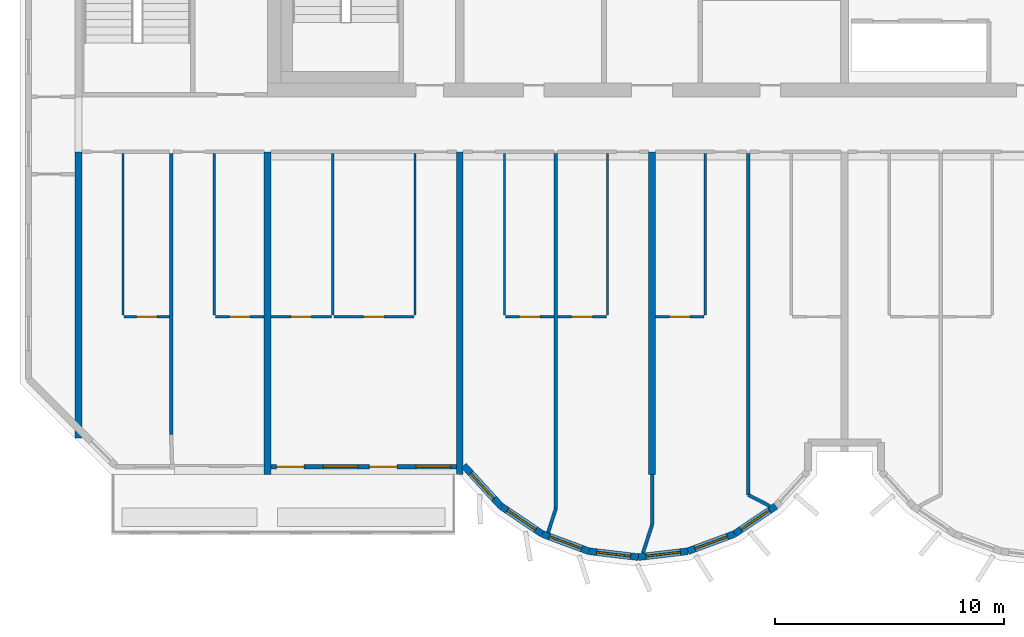
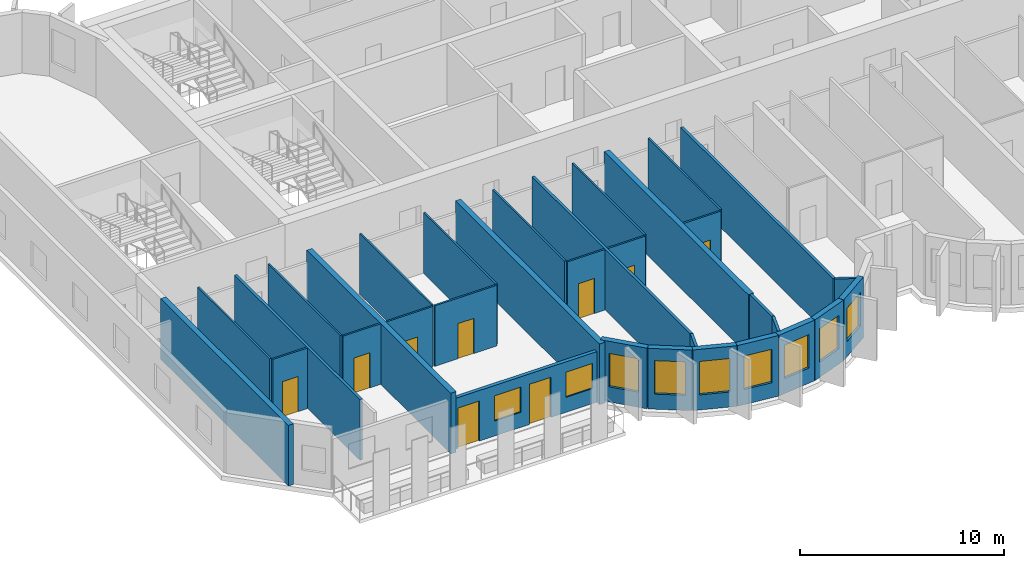
# One storey, part 2 of 11: 33 walls, 9 doors, 9 windows, 18 openings.
"""IFC4 building model written with IfcOpenShell, lengths in metres."""

from ifc_helpers import new_model, si_unit, direction, frame, frame_2d, origin, place, context, subcontext, project, spatial, rectangle, extrude, source, transform, mapped, material, layer, layer_set, type_object, element, fill, save


model = new_model("IFC4")

# Units and contexts
model_context = context("Model", 3, precision=1e-05, world=origin(), true_north=direction((0.0, 1.0)))
body_context = subcontext(model_context, "Body", "Model", "MODEL_VIEW")
ifc_project = project(units=[si_unit("LENGTHUNIT", "METRE"), si_unit("AREAUNIT", "SQUARE_METRE"), si_unit("VOLUMEUNIT", "CUBIC_METRE"), si_unit("PLANEANGLEUNIT", "RADIAN"), si_unit("MASSUNIT", "GRAM", prefix="KILO")], contexts=[model_context])

# Site, building, storey
site_placement = place(None, origin())
site = spatial("IfcSite", under=ifc_project, at=site_placement, CompositionType="ELEMENT")
building_placement = place(site_placement, origin())
building = spatial("IfcBuilding", under=site, at=building_placement, Name="Vanashikhar Sky Hotel", CompositionType="ELEMENT")
storey_placement = place(building_placement, frame((0.0, 0.0, 225.699951171875)))
storey = spatial("IfcBuildingStorey", under=building, at=storey_placement, Name="L54", CompositionType="ELEMENT", Elevation=225.699951171875)

# Walls
ifc_material_1 = material(Name="Concrete M60", Category="concrete")
ifc_layer_1 = layer(ifc_material_1, 0.300048828125)
ifc_layer_set_1 = layer_set([ifc_layer_1], Name="RC shear wall 300 Concrete M60")
wall_type_1 = type_object("IfcWallType", Name="RC shear wall 300 Concrete M60", PredefinedType="SHEAR", material=ifc_layer_set_1)
shared_shape_1 = source(origin(), body_context, "Body", "SweptSolid", [
    extrude(rectangle(XDim=12.5, YDim=0.300048828125, at=frame_2d((6.25, 0.0))), origin(), (0.0, 0.0, 1.0), 3.6201171875),
])
wall_1_placement = place(storey_placement, frame((16.949951171875, 7.10009765625, 0.0), z_axis=(0.0, 0.0, 1.0), x_axis=(0.0, 1.0, 0.0)))
element("IfcWall", 1, at=wall_1_placement, inside=storey, type_object=wall_type_1, Name="CW-L54-XW03-1", PredefinedType="SHEAR", context=body_context, shape_type="MappedRepresentation", body=[
    mapped(shared_shape_1, transform((0.0, 0.0, 0.0), scale=1.0)),
])
shared_shape_2 = source(origin(), body_context, "Body", "SweptSolid", [
    extrude(rectangle(XDim=14.10009765625, YDim=0.300048828125, at=frame_2d((7.050048828125, 0.0))), origin(), (0.0, 0.0, 1.0), 3.6201171875),
])
for number, where, z_axis, x_axis, name in (
    (2, (25.199951171875, 5.5, 0.0), (0.0, 0.0, 1.0), (0.0, 1.0, 0.0), "CW-L54-XW04-1"),
    (3, (33.60009765625, 5.5, 0.0), (0.0, 0.0, 1.0), (0.0, 1.0, 0.0), "CW-L54-XW05-1"),
    (4, (42.0, 5.5, 0.0), (0.0, 0.0, 1.0), (0.0, 1.0, 0.0), "CW-L54-XW06-1"),
):
    element("IfcWall", number, at=place(storey_placement, frame(where, z_axis=z_axis, x_axis=x_axis)), inside=storey, type_object=wall_type_1, Name=name, PredefinedType="SHEAR", context=body_context, shape_type="MappedRepresentation", body=[
        mapped(shared_shape_2, transform((0.0, 0.0, 0.0), scale=1.0)),
    ])

# Wall, openings, windows, doors
ifc_material_2 = material(Name="Concrete M50", Category="concrete")
ifc_layer_2 = layer(ifc_material_2, 0.199951171875)
ifc_layer_set_2 = layer_set([ifc_layer_2], Name="Front window wall 200")
wall_type_2 = type_object("IfcWallType", Name="Front window wall 200", PredefinedType="SOLIDWALL", material=ifc_layer_set_2)
shared_shape_3 = source(origin(), body_context, "Body", "SweptSolid", [
    extrude(rectangle(XDim=8.099853515625, YDim=0.199951171875, at=frame_2d((4.0498046875, 0.0))), origin(), (0.0, 0.0, 1.0), 3.02001953125),
])
wall_2_placement = place(storey_placement, frame((25.35009765625, 5.85009765625, 0.0), z_axis=(0.0, 0.0, 1.0), x_axis=(1.0, 0.0, 0.0)))
wall_2 = element("IfcWall", 5, at=wall_2_placement, inside=storey, type_object=wall_type_2, Name="Front window wall", PredefinedType="SOLIDWALL", context=body_context, shape_type="MappedRepresentation", body=[
    mapped(shared_shape_3, transform((0.0, 0.0, 0.0), scale=1.0)),
])
shared_shape_4 = source(origin(), body_context, "Body", "SweptSolid", [
    extrude(rectangle(XDim=1.199951171875, YDim=2.39990234375, at=frame_2d((0.60009765625, 1.199951171875))), frame((0.0, 0.10986328125, 0.0), z_axis=(0.0, -1.0, 0.0), x_axis=(1.0, 0.0, 0.0)), (0.0, 0.0, 1.0), 0.219970703125),
])
opening_1_placement = place(wall_2_placement, frame((0.25, 0.0, 0.0)))
opening_1 = element("IfcOpeningElement", 6, at=opening_1_placement, cuts=wall_2, Name="Opening BD-01", PredefinedType="OPENING", context=body_context, shape_type="MappedRepresentation", body=[
    mapped(shared_shape_4, transform((0.0, 0.0, 0.0), scale=1.0)),
])
shared_shape_5 = source(origin(), body_context, "Body", "SweptSolid", [
    extrude(rectangle(XDim=1.5, YDim=1.5, at=frame_2d((0.75, 0.75))), frame((0.0, 0.10986328125, 0.0), z_axis=(0.0, -1.0, 0.0), x_axis=(1.0, 0.0, 0.0)), (0.0, 0.0, 1.0), 0.219970703125),
])
opening_2_placement = place(wall_2_placement, frame((2.300048828125, 0.0, 0.89990234375)))
opening_2 = element("IfcOpeningElement", 7, at=opening_2_placement, cuts=wall_2, Name="Opening WN-1", PredefinedType="OPENING", context=body_context, shape_type="MappedRepresentation", body=[
    mapped(shared_shape_5, transform((0.0, 0.0, 0.0), scale=1.0)),
])
opening_3_placement = place(wall_2_placement, frame((4.300048828125, 0.0, 0.0)))
opening_3 = element("IfcOpeningElement", 8, at=opening_3_placement, cuts=wall_2, Name="Opening BD-02", PredefinedType="OPENING", context=body_context, shape_type="MappedRepresentation", body=[
    mapped(shared_shape_4, transform((0.0, 0.0, 0.0), scale=1.0)),
])
opening_4_placement = place(wall_2_placement, frame((6.35009765625, 0.0, 0.89990234375)))
opening_4 = element("IfcOpeningElement", 9, at=opening_4_placement, cuts=wall_2, Name="Opening WN-1", PredefinedType="OPENING", context=body_context, shape_type="MappedRepresentation", body=[
    mapped(shared_shape_5, transform((0.0, 0.0, 0.0), scale=1.0)),
])
ifc_material_3 = material(Name="Glass", Category="glass")
window_type_1 = type_object("IfcWindowType", Name="Window 1500 x 1500", PartitioningType="SINGLE_PANEL", PredefinedType="WINDOW", material=ifc_material_3)
shared_shape_6 = source(origin(), body_context, "Body", "SweptSolid", [
    extrude(rectangle(XDim=1.5, YDim=1.5, at=frame_2d((0.75, 0.75))), frame((0.0, 0.030029296875, 0.0), z_axis=(0.0, -1.0, 0.0), x_axis=(1.0, 0.0, 0.0)), (0.0, 0.0, 1.0), 0.06005859375),
])
window_1_placement = place(opening_2_placement, origin())
window_1 = element("IfcWindow", 10, at=window_1_placement, inside=storey, type_object=window_type_1, Name="Window WN-1", OverallHeight=1.5, OverallWidth=1.5, PartitioningType="SINGLE_PANEL", PredefinedType="WINDOW", context=body_context, shape_type="MappedRepresentation", body=[
    mapped(shared_shape_6, transform((0.0, 0.0, 0.0), scale=1.0)),
])
fill(opening_2, window_1)
window_2_placement = place(opening_4_placement, origin())
window_2 = element("IfcWindow", 11, at=window_2_placement, inside=storey, type_object=window_type_1, Name="Window WN-1", OverallHeight=1.5, OverallWidth=1.5, PartitioningType="SINGLE_PANEL", PredefinedType="WINDOW", context=body_context, shape_type="MappedRepresentation", body=[
    mapped(shared_shape_6, transform((0.0, 0.0, 0.0), scale=1.0)),
])
fill(opening_4, window_2)
ifc_material_4 = material(Name="Aluminium", Category="aluminium")
door_type_1 = type_object("IfcDoorType", Name="Balcony sliding door 1200 x 2400", OperationType="NOTDEFINED", PredefinedType="DOOR", material=ifc_material_4)
shared_shape_7 = source(origin(), body_context, "Body", "SweptSolid", [
    extrude(rectangle(XDim=1.199951171875, YDim=2.39990234375, at=frame_2d((0.60009765625, 1.199951171875))), frame((0.0, 0.02490234375, 0.0), z_axis=(0.0, -1.0, 0.0), x_axis=(1.0, 0.0, 0.0)), (0.0, 0.0, 1.0), 0.050048828125),
])
door_1_placement = place(opening_1_placement, origin())
door_1 = element("IfcDoor", 12, at=door_1_placement, inside=storey, type_object=door_type_1, Name="Balcony sliding door", OperationType="SLIDING_TO_LEFT", OverallHeight=2.39990234375, OverallWidth=1.199951171875, PredefinedType="DOOR", context=body_context, shape_type="MappedRepresentation", body=[
    mapped(shared_shape_7, transform((0.0, 0.0, 0.0), scale=1.0)),
])
fill(opening_1, door_1)
door_2_placement = place(opening_3_placement, origin())
door_2 = element("IfcDoor", 13, at=door_2_placement, inside=storey, type_object=door_type_1, Name="Balcony sliding door", OperationType="SLIDING_TO_RIGHT", OverallHeight=2.39990234375, OverallWidth=1.199951171875, PredefinedType="DOOR", context=body_context, shape_type="MappedRepresentation", body=[
    mapped(shared_shape_7, transform((0.0, 0.0, 0.0), scale=1.0)),
])
fill(opening_3, door_2)

# Wall, opening, window
ifc_layer_3 = layer(ifc_material_2, 0.300048828125)
ifc_layer_set_3 = layer_set([ifc_layer_3], Name="Lobe wall 300")
wall_type_3 = type_object("IfcWallType", Name="Lobe wall 300", PredefinedType="SOLIDWALL", material=ifc_layer_set_3)
shared_shape_8 = source(origin(), body_context, "Body", "SweptSolid", [
    extrude(rectangle(XDim=2.398193359375, YDim=0.300048828125, at=frame_2d((1.19921875, 0.0))), origin(), (0.0, 0.0, 1.0), 3.6201171875),
])
wall_3_placement = place(storey_placement, frame((33.776123046875, 5.89990234375, 0.0), z_axis=(0.0, 0.0, 1.0), x_axis=(0.675374189419, -0.737475222815, 0.0)))
wall_3 = element("IfcWall", 14, at=wall_3_placement, inside=storey, type_object=wall_type_3, Name="Lobe wall", PredefinedType="SOLIDWALL", context=body_context, shape_type="MappedRepresentation", body=[
    mapped(shared_shape_8, transform((0.0, 0.0, 0.0), scale=1.0)),
])
shared_shape_9 = source(origin(), body_context, "Body", "SweptSolid", [
    extrude(rectangle(XDim=1.5, YDim=2.0, at=frame_2d((0.75, 1.0))), frame((0.0, 0.16015625, 0.0), z_axis=(0.0, -1.0, 0.0), x_axis=(1.0, 0.0, 0.0)), (0.0, 0.0, 1.0), 0.320068359375),
])
opening_5_placement = place(wall_3_placement, frame((0.44921875, 0.0, 0.89990234375)))
opening_5 = element("IfcOpeningElement", 15, at=opening_5_placement, cuts=wall_3, Name="Opening WN-2", PredefinedType="OPENING", context=body_context, shape_type="MappedRepresentation", body=[
    mapped(shared_shape_9, transform((0.0, 0.0, 0.0), scale=1.0)),
])
window_type_2 = type_object("IfcWindowType", Name="Lobe window 1500 x 2000", PartitioningType="SINGLE_PANEL", PredefinedType="WINDOW", material=ifc_material_3)
shared_shape_10 = source(origin(), body_context, "Body", "SweptSolid", [
    extrude(rectangle(XDim=1.5, YDim=2.0, at=frame_2d((0.75, 1.0))), frame((0.0, 0.030029296875, 0.0), z_axis=(0.0, -1.0, 0.0), x_axis=(1.0, 0.0, 0.0)), (0.0, 0.0, 1.0), 0.06005859375),
])
window_3_placement = place(opening_5_placement, origin())
window_3 = element("IfcWindow", 16, at=window_3_placement, inside=storey, type_object=window_type_2, Name="Window WN-2", OverallHeight=2.0, OverallWidth=1.5, PartitioningType="SINGLE_PANEL", PredefinedType="WINDOW", context=body_context, shape_type="MappedRepresentation", body=[
    mapped(shared_shape_10, transform((0.0, 0.0, 0.0), scale=1.0)),
])
fill(opening_5, window_3)

shared_shape_11 = source(origin(), body_context, "Body", "SweptSolid", [
    extrude(rectangle(XDim=2.17578125, YDim=0.300048828125, at=frame_2d((1.087890625, 0.0))), origin(), (0.0, 0.0, 1.0), 3.6201171875),
])
wall_4_placement = place(storey_placement, frame((35.395751953125, 4.13134765625, 0.0), z_axis=(0.0, 0.0, 1.0), x_axis=(0.829590746428, -0.558371913192, 0.0)))
wall_4 = element("IfcWall", 17, at=wall_4_placement, inside=storey, type_object=wall_type_3, Name="Lobe wall", PredefinedType="SOLIDWALL", context=body_context, shape_type="MappedRepresentation", body=[
    mapped(shared_shape_11, transform((0.0, 0.0, 0.0), scale=1.0)),
])
opening_6_placement = place(wall_4_placement, frame((0.337890625, 0.0, 0.89990234375)))
opening_6 = element("IfcOpeningElement", 18, at=opening_6_placement, cuts=wall_4, Name="Opening WN-2", PredefinedType="OPENING", context=body_context, shape_type="MappedRepresentation", body=[
    mapped(shared_shape_9, transform((0.0, 0.0, 0.0), scale=1.0)),
])
window_4_placement = place(opening_6_placement, origin())
window_4 = element("IfcWindow", 19, at=window_4_placement, inside=storey, type_object=window_type_2, Name="Window WN-2", OverallHeight=2.0, OverallWidth=1.5, PartitioningType="SINGLE_PANEL", PredefinedType="WINDOW", context=body_context, shape_type="MappedRepresentation", body=[
    mapped(shared_shape_10, transform((0.0, 0.0, 0.0), scale=1.0)),
])
fill(opening_6, window_4)

wall_5_placement = place(storey_placement, frame((37.20068359375, 2.91650390625, 0.0), z_axis=(0.0, 0.0, 1.0), x_axis=(0.93754555999, -0.347862505801, 0.0)))
wall_5 = element("IfcWall", 20, at=wall_5_placement, inside=storey, type_object=wall_type_3, Name="Lobe wall", PredefinedType="SOLIDWALL", context=body_context, shape_type="MappedRepresentation", body=[
    mapped(shared_shape_11, transform((0.0, 0.0, 0.0), scale=1.0)),
])
opening_7_placement = place(wall_5_placement, frame((0.337890625, 0.0, 0.89990234375)))
opening_7 = element("IfcOpeningElement", 21, at=opening_7_placement, cuts=wall_5, Name="Opening WN-2", PredefinedType="OPENING", context=body_context, shape_type="MappedRepresentation", body=[
    mapped(shared_shape_9, transform((0.0, 0.0, 0.0), scale=1.0)),
])
window_5_placement = place(opening_7_placement, origin())
window_5 = element("IfcWindow", 22, at=window_5_placement, inside=storey, type_object=window_type_2, Name="Window WN-2", OverallHeight=2.0, OverallWidth=1.5, PartitioningType="SINGLE_PANEL", PredefinedType="WINDOW", context=body_context, shape_type="MappedRepresentation", body=[
    mapped(shared_shape_10, transform((0.0, 0.0, 0.0), scale=1.0)),
])
fill(opening_7, window_5)

wall_6_placement = place(storey_placement, frame((45.59912109375, 2.91650390625, 0.0), z_axis=(0.0, 0.0, 1.0), x_axis=(0.829625727223, 0.558319937607, 0.0)))
wall_6 = element("IfcWall", 23, at=wall_6_placement, inside=storey, type_object=wall_type_3, Name="Lobe wall", PredefinedType="SOLIDWALL", context=body_context, shape_type="MappedRepresentation", body=[
    mapped(shared_shape_11, transform((0.0, 0.0, 0.0), scale=1.0)),
])
opening_8_placement = place(wall_6_placement, frame((0.337890625, 0.0, 0.89990234375)))
opening_8 = element("IfcOpeningElement", 24, at=opening_8_placement, cuts=wall_6, Name="Opening WN-2", PredefinedType="OPENING", context=body_context, shape_type="MappedRepresentation", body=[
    mapped(shared_shape_9, transform((0.0, 0.0, 0.0), scale=1.0)),
])
window_6_placement = place(opening_8_placement, origin())
window_6 = element("IfcWindow", 25, at=window_6_placement, inside=storey, type_object=window_type_2, Name="Window WN-2", OverallHeight=2.0, OverallWidth=1.5, PartitioningType="SINGLE_PANEL", PredefinedType="WINDOW", context=body_context, shape_type="MappedRepresentation", body=[
    mapped(shared_shape_10, transform((0.0, 0.0, 0.0), scale=1.0)),
])
fill(opening_8, window_6)

shared_shape_12 = source(origin(), body_context, "Body", "SweptSolid", [
    extrude(rectangle(XDim=2.174560546875, YDim=0.300048828125, at=frame_2d((1.08740234375, 0.0))), origin(), (0.0, 0.0, 1.0), 3.6201171875),
])
wall_7_placement = place(storey_placement, frame((39.240478515625, 2.15966796875, 0.0), z_axis=(0.0, 0.0, 1.0), x_axis=(0.993001132889, -0.118104826659, 0.0)))
wall_7 = element("IfcWall", 26, at=wall_7_placement, inside=storey, type_object=wall_type_3, Name="Lobe wall", PredefinedType="SOLIDWALL", context=body_context, shape_type="MappedRepresentation", body=[
    mapped(shared_shape_12, transform((0.0, 0.0, 0.0), scale=1.0)),
])
opening_9_placement = place(wall_7_placement, frame((0.33740234375, 0.0, 0.89990234375)))
opening_9 = element("IfcOpeningElement", 27, at=opening_9_placement, cuts=wall_7, Name="Opening WN-2", PredefinedType="OPENING", context=body_context, shape_type="MappedRepresentation", body=[
    mapped(shared_shape_9, transform((0.0, 0.0, 0.0), scale=1.0)),
])
window_7_placement = place(opening_9_placement, origin())
window_7 = element("IfcWindow", 28, at=window_7_placement, inside=storey, type_object=window_type_2, Name="Window WN-2", OverallHeight=2.0, OverallWidth=1.5, PartitioningType="SINGLE_PANEL", PredefinedType="WINDOW", context=body_context, shape_type="MappedRepresentation", body=[
    mapped(shared_shape_10, transform((0.0, 0.0, 0.0), scale=1.0)),
])
fill(opening_9, window_7)

shared_shape_13 = source(origin(), body_context, "Body", "SweptSolid", [
    extrude(rectangle(XDim=2.1748046875, YDim=0.300048828125, at=frame_2d((1.08740234375, 0.0))), origin(), (0.0, 0.0, 1.0), 3.6201171875),
])
wall_8_placement = place(storey_placement, frame((41.39990234375, 1.90283203125, 0.0), z_axis=(0.0, 0.0, 1.0), x_axis=(0.993002698611, 0.118091661648, 0.0)))
wall_8 = element("IfcWall", 29, at=wall_8_placement, inside=storey, type_object=wall_type_3, Name="Lobe wall", PredefinedType="SOLIDWALL", context=body_context, shape_type="MappedRepresentation", body=[
    mapped(shared_shape_13, transform((0.0, 0.0, 0.0), scale=1.0)),
])
opening_10_placement = place(wall_8_placement, frame((0.33740234375, 0.0, 0.89990234375)))
opening_10 = element("IfcOpeningElement", 30, at=opening_10_placement, cuts=wall_8, Name="Opening WN-2", PredefinedType="OPENING", context=body_context, shape_type="MappedRepresentation", body=[
    mapped(shared_shape_9, transform((0.0, 0.0, 0.0), scale=1.0)),
])
window_8_placement = place(opening_10_placement, origin())
window_8 = element("IfcWindow", 31, at=window_8_placement, inside=storey, type_object=window_type_2, Name="Window WN-2", OverallHeight=2.0, OverallWidth=1.5, PartitioningType="SINGLE_PANEL", PredefinedType="WINDOW", context=body_context, shape_type="MappedRepresentation", body=[
    mapped(shared_shape_10, transform((0.0, 0.0, 0.0), scale=1.0)),
])
fill(opening_10, window_8)

shared_shape_14 = source(origin(), body_context, "Body", "SweptSolid", [
    extrude(rectangle(XDim=2.175537109375, YDim=0.300048828125, at=frame_2d((1.087890625, 0.0))), origin(), (0.0, 0.0, 1.0), 3.6201171875),
])
wall_9_placement = place(storey_placement, frame((43.5595703125, 2.15966796875, 0.0), z_axis=(0.0, 0.0, 1.0), x_axis=(0.937531979054, 0.347899106424, 0.0)))
wall_9 = element("IfcWall", 32, at=wall_9_placement, inside=storey, type_object=wall_type_3, Name="Lobe wall", PredefinedType="SOLIDWALL", context=body_context, shape_type="MappedRepresentation", body=[
    mapped(shared_shape_14, transform((0.0, 0.0, 0.0), scale=1.0)),
])
opening_11_placement = place(wall_9_placement, frame((0.337890625, 0.0, 0.89990234375)))
opening_11 = element("IfcOpeningElement", 33, at=opening_11_placement, cuts=wall_9, Name="Opening WN-2", PredefinedType="OPENING", context=body_context, shape_type="MappedRepresentation", body=[
    mapped(shared_shape_9, transform((0.0, 0.0, 0.0), scale=1.0)),
])
window_9_placement = place(opening_11_placement, origin())
window_9 = element("IfcWindow", 34, at=window_9_placement, inside=storey, type_object=window_type_2, Name="Window WN-2", OverallHeight=2.0, OverallWidth=1.5, PartitioningType="SINGLE_PANEL", PredefinedType="WINDOW", context=body_context, shape_type="MappedRepresentation", body=[
    mapped(shared_shape_10, transform((0.0, 0.0, 0.0), scale=1.0)),
])
fill(opening_11, window_9)

# Walls
ifc_material_5 = material(Name="Gypsum plasterboard partition")
ifc_layer_4 = layer(ifc_material_5, 0.10009765625)
ifc_layer_set_4 = layer_set([ifc_layer_4], Name="Wet room partition 100")
wall_type_4 = type_object("IfcWallType", Name="Wet room partition 100", PredefinedType="PARTITIONING", material=ifc_layer_set_4)
shared_shape_15 = source(origin(), body_context, "Body", "SweptSolid", [
    extrude(rectangle(XDim=7.0498046875, YDim=0.10009765625, at=frame_2d((3.52490234375, 0.0))), origin(), (0.0, 0.0, 1.0), 3.6201171875),
])
for number, where, z_axis, x_axis, name in (
    (35, (18.89990234375, 12.47509765625, 0.0), (0.0, 0.0, 1.0), (0.0, 1.0, 0.0), "W-L54-PW001"),
    (36, (22.875, 12.47509765625, 0.0), (0.0, 0.0, 1.0), (0.0, 1.0, 0.0), "W-L54-PW004"),
    (37, (31.64990234375, 12.47509765625, 0.0), (0.0, 0.0, 1.0), (0.0, 1.0, 0.0), "W-L54-PW008"),
    (38, (28.050048828125, 12.47509765625, 0.0), (0.0, 0.0, 1.0), (0.0, 1.0, 0.0), "W-L54-PW009"),
    (39, (35.550048828125, 12.47509765625, 0.0), (0.0, 0.0, 1.0), (0.0, 1.0, 0.0), "W-L54-PW013"),
    (40, (40.050048828125, 12.47509765625, 0.0), (0.0, 0.0, 1.0), (0.0, 1.0, 0.0), "W-L54-PW016"),
    (41, (44.324951171875, 12.47509765625, 0.0), (0.0, 0.0, 1.0), (0.0, 1.0, 0.0), "W-L54-PW020"),
):
    element("IfcWall", number, at=place(storey_placement, frame(where, z_axis=z_axis, x_axis=x_axis)), inside=storey, type_object=wall_type_4, Name=name, PredefinedType="PARTITIONING", context=body_context, shape_type="MappedRepresentation", body=[
        mapped(shared_shape_15, transform((0.0, 0.0, 0.0), scale=1.0)),
    ])

# Wall, opening, door
shared_shape_16 = source(origin(), body_context, "Body", "SweptSolid", [
    extrude(rectangle(XDim=1.97509765625, YDim=0.10009765625, at=frame_2d((0.987548828125, 0.0))), origin(), (0.0, 0.0, 1.0), 3.6201171875),
])
wall_10_placement = place(storey_placement, frame((18.949951171875, 12.39990234375, 0.0), z_axis=(0.0, 0.0, 1.0), x_axis=(1.0, 0.0, 0.0)))
wall_10 = element("IfcWall", 42, at=wall_10_placement, inside=storey, type_object=wall_type_4, Name="W-L54-PW002", PredefinedType="PARTITIONING", context=body_context, shape_type="MappedRepresentation", body=[
    mapped(shared_shape_16, transform((0.0, 0.0, 0.0), scale=1.0)),
])
shared_shape_17 = source(origin(), body_context, "Body", "SweptSolid", [
    extrude(rectangle(XDim=0.89990234375, YDim=2.10009765625, at=frame_2d((0.449951171875, 1.050048828125))), frame((0.0, 0.06005859375, 0.0), z_axis=(0.0, -1.0, 0.0), x_axis=(1.0, 0.0, 0.0)), (0.0, 0.0, 1.0), 0.1201171875),
])
opening_12_placement = place(wall_10_placement, frame((0.5380859375, 0.0, 0.0)))
opening_12 = element("IfcOpeningElement", 43, at=opening_12_placement, cuts=wall_10, Name="Opening D-02", PredefinedType="OPENING", context=body_context, shape_type="MappedRepresentation", body=[
    mapped(shared_shape_17, transform((0.0, 0.0, 0.0), scale=1.0)),
])
ifc_material_6 = material(Name="Timber door", Category="wood")
door_type_2 = type_object("IfcDoorType", Name="Internal door 900", OperationType="NOTDEFINED", PredefinedType="DOOR", material=ifc_material_6)
shared_shape_18 = source(origin(), body_context, "Body", "SweptSolid", [
    extrude(rectangle(XDim=0.89990234375, YDim=2.10009765625, at=frame_2d((0.449951171875, 1.050048828125))), frame((0.0, 0.02490234375, 0.0), z_axis=(0.0, -1.0, 0.0), x_axis=(1.0, 0.0, 0.0)), (0.0, 0.0, 1.0), 0.050048828125),
])
door_3_placement = place(opening_12_placement, origin())
door_3 = element("IfcDoor", 44, at=door_3_placement, inside=storey, type_object=door_type_2, Name="D-L54-001", OperationType="SINGLE_SWING_LEFT", OverallHeight=2.10009765625, OverallWidth=0.89990234375, PredefinedType="DOOR", context=body_context, shape_type="MappedRepresentation", body=[
    mapped(shared_shape_18, transform((0.0, 0.0, 0.0), scale=1.0)),
])
fill(opening_12, door_3)

shared_shape_19 = source(origin(), body_context, "Body", "SweptSolid", [
    extrude(rectangle(XDim=2.125, YDim=0.10009765625, at=frame_2d((1.0625, 0.0))), origin(), (0.0, 0.0, 1.0), 3.6201171875),
])
wall_11_placement = place(storey_placement, frame((22.925048828125, 12.39990234375, 0.0), z_axis=(0.0, 0.0, 1.0), x_axis=(1.0, 0.0, 0.0)))
wall_11 = element("IfcWall", 45, at=wall_11_placement, inside=storey, type_object=wall_type_4, Name="W-L54-PW005", PredefinedType="PARTITIONING", context=body_context, shape_type="MappedRepresentation", body=[
    mapped(shared_shape_19, transform((0.0, 0.0, 0.0), scale=1.0)),
])
opening_13_placement = place(wall_11_placement, frame((0.613037109375, 0.0, 0.0)))
opening_13 = element("IfcOpeningElement", 46, at=opening_13_placement, cuts=wall_11, Name="Opening D-02", PredefinedType="OPENING", context=body_context, shape_type="MappedRepresentation", body=[
    mapped(shared_shape_17, transform((0.0, 0.0, 0.0), scale=1.0)),
])
door_4_placement = place(opening_13_placement, origin())
door_4 = element("IfcDoor", 47, at=door_4_placement, inside=storey, type_object=door_type_2, Name="D-L54-003", OperationType="SINGLE_SWING_LEFT", OverallHeight=2.10009765625, OverallWidth=0.89990234375, PredefinedType="DOOR", context=body_context, shape_type="MappedRepresentation", body=[
    mapped(shared_shape_18, transform((0.0, 0.0, 0.0), scale=1.0)),
])
fill(opening_13, door_4)

wall_12_placement = place(storey_placement, frame((35.60009765625, 12.39990234375, 0.0), z_axis=(0.0, 0.0, 1.0), x_axis=(1.0, 0.0, 0.0)))
wall_12 = element("IfcWall", 48, at=wall_12_placement, inside=storey, type_object=wall_type_4, Name="W-L54-PW014", PredefinedType="PARTITIONING", context=body_context, shape_type="MappedRepresentation", body=[
    mapped(shared_shape_19, transform((0.0, 0.0, 0.0), scale=1.0)),
])
opening_14_placement = place(wall_12_placement, frame((0.612060546875, 0.0, 0.0)))
opening_14 = element("IfcOpeningElement", 49, at=opening_14_placement, cuts=wall_12, Name="Opening D-02", PredefinedType="OPENING", context=body_context, shape_type="MappedRepresentation", body=[
    mapped(shared_shape_17, transform((0.0, 0.0, 0.0), scale=1.0)),
])
door_5_placement = place(opening_14_placement, origin())
door_5 = element("IfcDoor", 50, at=door_5_placement, inside=storey, type_object=door_type_2, Name="D-L54-008", OperationType="SINGLE_SWING_LEFT", OverallHeight=2.10009765625, OverallWidth=0.89990234375, PredefinedType="DOOR", context=body_context, shape_type="MappedRepresentation", body=[
    mapped(shared_shape_18, transform((0.0, 0.0, 0.0), scale=1.0)),
])
fill(opening_14, door_5)

wall_13_placement = place(storey_placement, frame((37.875, 12.39990234375, 0.0), z_axis=(0.0, 0.0, 1.0), x_axis=(1.0, 0.0, 0.0)))
wall_13 = element("IfcWall", 51, at=wall_13_placement, inside=storey, type_object=wall_type_4, Name="W-L54-PW017", PredefinedType="PARTITIONING", context=body_context, shape_type="MappedRepresentation", body=[
    mapped(shared_shape_19, transform((0.0, 0.0, 0.0), scale=1.0)),
])
opening_15_placement = place(wall_13_placement, frame((0.612060546875, 0.0, 0.0)))
opening_15 = element("IfcOpeningElement", 52, at=opening_15_placement, cuts=wall_13, Name="Opening D-02", PredefinedType="OPENING", context=body_context, shape_type="MappedRepresentation", body=[
    mapped(shared_shape_17, transform((0.0, 0.0, 0.0), scale=1.0)),
])
door_6_placement = place(opening_15_placement, origin())
door_6 = element("IfcDoor", 53, at=door_6_placement, inside=storey, type_object=door_type_2, Name="D-L54-010", OperationType="SINGLE_SWING_RIGHT", OverallHeight=2.10009765625, OverallWidth=0.89990234375, PredefinedType="DOOR", context=body_context, shape_type="MappedRepresentation", body=[
    mapped(shared_shape_18, transform((0.0, 0.0, 0.0), scale=1.0)),
])
fill(opening_15, door_6)

wall_14_placement = place(storey_placement, frame((42.14990234375, 12.39990234375, 0.0), z_axis=(0.0, 0.0, 1.0), x_axis=(1.0, 0.0, 0.0)))
wall_14 = element("IfcWall", 54, at=wall_14_placement, inside=storey, type_object=wall_type_4, Name="W-L54-PW021", PredefinedType="PARTITIONING", context=body_context, shape_type="MappedRepresentation", body=[
    mapped(shared_shape_19, transform((0.0, 0.0, 0.0), scale=1.0)),
])
opening_16_placement = place(wall_14_placement, frame((0.613037109375, 0.0, 0.0)))
opening_16 = element("IfcOpeningElement", 55, at=opening_16_placement, cuts=wall_14, Name="Opening D-02", PredefinedType="OPENING", context=body_context, shape_type="MappedRepresentation", body=[
    mapped(shared_shape_17, transform((0.0, 0.0, 0.0), scale=1.0)),
])
door_7_placement = place(opening_16_placement, origin())
door_7 = element("IfcDoor", 56, at=door_7_placement, inside=storey, type_object=door_type_2, Name="D-L54-012", OperationType="SINGLE_SWING_RIGHT", OverallHeight=2.10009765625, OverallWidth=0.89990234375, PredefinedType="DOOR", context=body_context, shape_type="MappedRepresentation", body=[
    mapped(shared_shape_18, transform((0.0, 0.0, 0.0), scale=1.0)),
])
fill(opening_16, door_7)

# Wall
ifc_layer_5 = layer(ifc_material_5, 0.14990234375)
ifc_layer_set_5 = layer_set([ifc_layer_5], Name="Corridor and demising partition 150")
wall_type_5 = type_object("IfcWallType", Name="Corridor and demising partition 150", PredefinedType="PARTITIONING", material=ifc_layer_set_5)
shared_shape_20 = source(origin(), body_context, "Body", "SweptSolid", [
    extrude(rectangle(XDim=12.27490234375, YDim=0.14990234375, at=frame_2d((6.137451171875, 0.0))), origin(), (0.0, 0.0, 1.0), 3.6201171875),
])
wall_15_placement = place(storey_placement, frame((21.0, 7.25, 0.0), z_axis=(0.0, 0.0, 1.0), x_axis=(0.0, 1.0, 0.0)))
element("IfcWall", 57, at=wall_15_placement, inside=storey, type_object=wall_type_5, Name="W-L54-PW007", PredefinedType="PARTITIONING", context=body_context, shape_type="MappedRepresentation", body=[
    mapped(shared_shape_20, transform((0.0, 0.0, 0.0), scale=1.0)),
])

# Wall, opening, door
shared_shape_21 = source(origin(), body_context, "Body", "SweptSolid", [
    extrude(rectangle(XDim=3.5, YDim=0.10009765625, at=frame_2d((1.75, 0.0))), origin(), (0.0, 0.0, 1.0), 3.6201171875),
])
wall_16_placement = place(storey_placement, frame((28.10009765625, 12.39990234375, 0.0), z_axis=(0.0, 0.0, 1.0), x_axis=(1.0, 0.0, 0.0)))
wall_16 = element("IfcWall", 58, at=wall_16_placement, inside=storey, type_object=wall_type_4, Name="W-L54-PW010", PredefinedType="PARTITIONING", context=body_context, shape_type="MappedRepresentation", body=[
    mapped(shared_shape_21, transform((0.0, 0.0, 0.0), scale=1.0)),
])
opening_17_placement = place(wall_16_placement, frame((1.300048828125, 0.0, 0.0)))
opening_17 = element("IfcOpeningElement", 59, at=opening_17_placement, cuts=wall_16, Name="Opening D-02", PredefinedType="OPENING", context=body_context, shape_type="MappedRepresentation", body=[
    mapped(shared_shape_17, transform((0.0, 0.0, 0.0), scale=1.0)),
])
door_8_placement = place(opening_17_placement, origin())
door_8 = element("IfcDoor", 60, at=door_8_placement, inside=storey, type_object=door_type_2, Name="D-L54-005", OperationType="SINGLE_SWING_RIGHT", OverallHeight=2.10009765625, OverallWidth=0.89990234375, PredefinedType="DOOR", context=body_context, shape_type="MappedRepresentation", body=[
    mapped(shared_shape_18, transform((0.0, 0.0, 0.0), scale=1.0)),
])
fill(opening_17, door_8)

shared_shape_22 = source(origin(), body_context, "Body", "SweptSolid", [
    extrude(rectangle(XDim=2.64990234375, YDim=0.10009765625, at=frame_2d((1.324951171875, 0.0))), origin(), (0.0, 0.0, 1.0), 3.6201171875),
])
wall_17_placement = place(storey_placement, frame((25.35009765625, 12.39990234375, 0.0), z_axis=(0.0, 0.0, 1.0), x_axis=(1.0, 0.0, 0.0)))
wall_17 = element("IfcWall", 61, at=wall_17_placement, inside=storey, type_object=wall_type_4, Name="W-L54-PW011", PredefinedType="PARTITIONING", context=body_context, shape_type="MappedRepresentation", body=[
    mapped(shared_shape_22, transform((0.0, 0.0, 0.0), scale=1.0)),
])
opening_18_placement = place(wall_17_placement, frame((0.875, 0.0, 0.0)))
opening_18 = element("IfcOpeningElement", 62, at=opening_18_placement, cuts=wall_17, Name="Opening D-02", PredefinedType="OPENING", context=body_context, shape_type="MappedRepresentation", body=[
    mapped(shared_shape_17, transform((0.0, 0.0, 0.0), scale=1.0)),
])
door_9_placement = place(opening_18_placement, origin())
door_9 = element("IfcDoor", 63, at=door_9_placement, inside=storey, type_object=door_type_2, Name="D-L54-006", OperationType="SINGLE_SWING_RIGHT", OverallHeight=2.10009765625, OverallWidth=0.89990234375, PredefinedType="DOOR", context=body_context, shape_type="MappedRepresentation", body=[
    mapped(shared_shape_18, transform((0.0, 0.0, 0.0), scale=1.0)),
])
fill(opening_18, door_9)

# Walls
shared_shape_23 = source(origin(), body_context, "Body", "SweptSolid", [
    extrude(rectangle(XDim=14.906005859375, YDim=0.14990234375, at=frame_2d((7.453125, 0.0))), origin(), (0.0, 0.0, 1.0), 3.6201171875),
])
wall_18_placement = place(storey_placement, frame((46.199951171875, 4.618896484375, 0.0), z_axis=(0.0, 0.0, 1.0), x_axis=(0.0, 1.0, 0.0)))
element("IfcWall", 64, at=wall_18_placement, inside=storey, type_object=wall_type_5, Name="W-L54-PW026", PredefinedType="PARTITIONING", context=body_context, shape_type="MappedRepresentation", body=[
    mapped(shared_shape_23, transform((0.0, 0.0, 0.0), scale=1.0)),
])
shared_shape_24 = source(origin(), body_context, "Body", "SweptSolid", [
    extrude(rectangle(XDim=15.497802734375, YDim=0.14990234375, at=frame_2d((7.7490234375, 0.0))), origin(), (0.0, 0.0, 1.0), 3.6201171875),
])
wall_19_placement = place(storey_placement, frame((37.800048828125, 4.027099609375, 0.0), z_axis=(0.0, 0.0, 1.0), x_axis=(0.0, 1.0, 0.0)))
element("IfcWall", 65, at=wall_19_placement, inside=storey, type_object=wall_type_5, Name="W-L54-PW019", PredefinedType="PARTITIONING", context=body_context, shape_type="MappedRepresentation", body=[
    mapped(shared_shape_24, transform((0.0, 0.0, 0.0), scale=1.0)),
])
shared_shape_25 = source(origin(), body_context, "Body", "SweptSolid", [
    extrude(rectangle(XDim=2.177978515625, YDim=0.14990234375, at=frame_2d((1.0888671875, 0.0))), origin(), (0.0, 0.0, 1.0), 3.6201171875),
])
wall_20_placement = place(storey_placement, frame((42.0, 3.322021484375, 0.0), z_axis=(0.0, 0.0, 1.0), x_axis=(0.0, 1.0, 0.0)))
element("IfcWall", 66, at=wall_20_placement, inside=storey, type_object=wall_type_5, Name="W-L54-PW047", PredefinedType="PARTITIONING", context=body_context, shape_type="MappedRepresentation", body=[
    mapped(shared_shape_25, transform((0.0, 0.0, 0.0), scale=1.0)),
])
shared_shape_26 = source(origin(), body_context, "Body", "SweptSolid", [
    extrude(rectangle(XDim=1.100830078125, YDim=0.14990234375, at=frame_2d((0.55029296875, 0.0))), origin(), (0.0, 0.0, 1.0), 3.6201171875),
])
wall_21_placement = place(storey_placement, frame((37.45703125, 2.98095703125, 0.0), z_axis=(0.0, 0.0, 1.0), x_axis=(0.311567081539, 0.950224159712, 0.0)))
element("IfcWall", 67, at=wall_21_placement, inside=storey, type_object=wall_type_5, Name="W-L54-PW019B0", PredefinedType="PARTITIONING", context=body_context, shape_type="MappedRepresentation", body=[
    mapped(shared_shape_26, transform((0.0, 0.0, 0.0), scale=1.0)),
])
shared_shape_27 = source(origin(), body_context, "Body", "SweptSolid", [
    extrude(rectangle(XDim=1.308349609375, YDim=0.14990234375, at=frame_2d((0.654296875, 0.0))), origin(), (0.0, 0.0, 1.0), 3.6201171875),
])
wall_22_placement = place(storey_placement, frame((41.597900390625, 2.076904296875, 0.0), z_axis=(0.0, 0.0, 1.0), x_axis=(0.307313512187, 0.951608325535, 0.0)))
element("IfcWall", 68, at=wall_22_placement, inside=storey, type_object=wall_type_5, Name="W-L54-PW047B0", PredefinedType="PARTITIONING", context=body_context, shape_type="MappedRepresentation", body=[
    mapped(shared_shape_27, transform((0.0, 0.0, 0.0), scale=1.0)),
])
shared_shape_28 = source(origin(), body_context, "Body", "SweptSolid", [
    extrude(rectangle(XDim=1.0576171875, YDim=0.14990234375, at=frame_2d((0.52880859375, 0.0))), origin(), (0.0, 0.0, 1.0), 3.6201171875),
])
wall_23_placement = place(storey_placement, frame((47.139892578125, 4.134033203125, 0.0), z_axis=(0.0, 0.0, 1.0), x_axis=(-0.888723819054, 0.458442988218, 0.0)))
element("IfcWall", 69, at=wall_23_placement, inside=storey, type_object=wall_type_5, Name="W-L54-PW026B0", PredefinedType="PARTITIONING", context=body_context, shape_type="MappedRepresentation", body=[
    mapped(shared_shape_28, transform((0.0, 0.0, 0.0), scale=1.0)),
])

save(model, "model.ifc")
